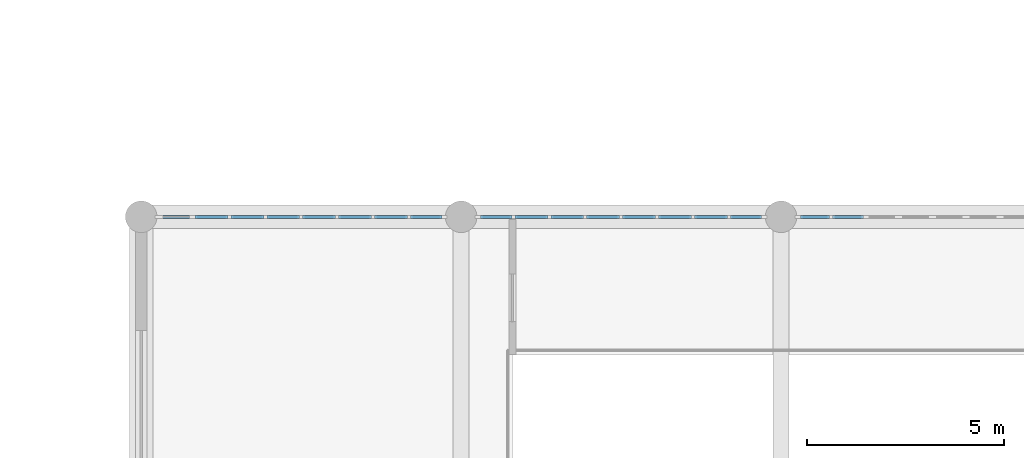
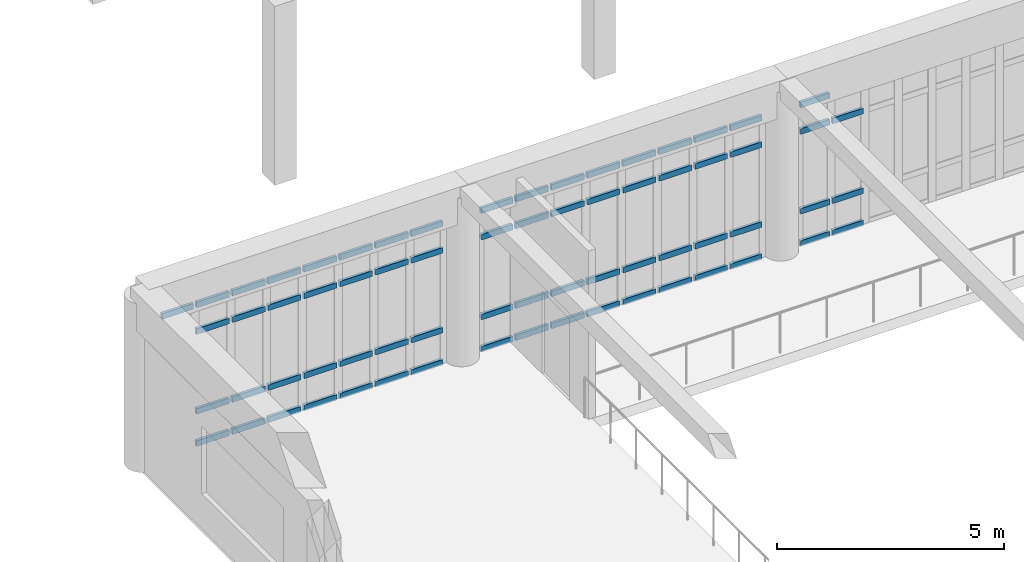
# One storey, part 20 of 61: 68 members, 3 elements without a shape of their own.
"""IFC4 building model written with IfcOpenShell, lengths in metres."""

from ifc_helpers import new_model, si_unit, direction, frame, origin, origin_2d, place, context, subcontext, project, spatial, rectangle, extrude, material, material_profile, profile_set, type_object, element, aggregate, save


model = new_model("IFC4")

# Units and contexts
model_context = context("Model", 3, precision=1e-05, world=origin(), true_north=direction((0.0, 1.0)))
body_context = subcontext(model_context, "Body", "Model", "MODEL_VIEW")
ifc_project = project(units=[si_unit("LENGTHUNIT", "METRE"), si_unit("AREAUNIT", "SQUARE_METRE"), si_unit("VOLUMEUNIT", "CUBIC_METRE"), si_unit("PLANEANGLEUNIT", "RADIAN"), si_unit("MASSUNIT", "GRAM", prefix="KILO")], contexts=[model_context])

# Site, building, storey
site_placement = place(None, origin())
site = spatial("IfcSite", under=ifc_project, at=site_placement, CompositionType="ELEMENT")
building_placement = place(site_placement, origin())
building = spatial("IfcBuilding", under=site, at=building_placement, Name="Tarnveldt Square Police Headquarters", CompositionType="ELEMENT")
storey_placement = place(building_placement, frame((0.0, 0.0, 5.39990234375)))
storey = spatial("IfcBuildingStorey", under=building, at=storey_placement, Name="L01", CompositionType="ELEMENT", Elevation=5.39990234375)

# Curtain wall, members
ifc_material_1 = material(Name="Triple-glazed low-e laminated vision glass", Category="glass")
curtain_wall_type_1 = type_object("IfcCurtainWallType", Name="CW-CT-727x379", PredefinedType="USERDEFINED", material=ifc_material_1)
curtain_wall_1_placement = place(storey_placement, origin())
curtain_wall_1 = element("IfcCurtainWall", 1, at=curtain_wall_1_placement, inside=storey, type_object=curtain_wall_type_1, Name="L01 Curtain Wall CW-L01-018", ObjectType="GLAZED CURTAIN WALL", PredefinedType="USERDEFINED")
ifc_material_2 = material(Name="Thermally broken anodised aluminium 6063-T6", Category="aluminium")
ifc_material_profile = material_profile(ifc_material_2, rectangle(XDim=0.074951171875, YDim=0.14990234375, at=origin_2d()), Name="CW-T75x150")
ifc_profile_set = profile_set([ifc_material_profile], Name="Thermally broken anodised aluminium 6063-T6")
member_type = type_object("IfcMemberType", Name="CWT-75x150", PredefinedType="USERDEFINED", material=ifc_profile_set)
member_1_placement = place(storey_placement, frame((65.2900390625, 48.0, 3.754638671875), z_axis=(1.0, 0.0, 0.0), x_axis=(0.0, 1.0, 0.0)))
member_1 = element("IfcMember", 2, at=member_1_placement, type_object=member_type, Name="CW-CT09 transom 1.4", ObjectType="TRANSOM", PredefinedType="USERDEFINED", context=body_context, shape_type="SweptSolid", body=[
    extrude(rectangle(XDim=0.074951171875, YDim=0.14990234375, at=origin_2d()), origin(), (0.0, 0.0, 1.0), 0.796142578125),
])
member_2_placement = place(storey_placement, frame((66.1611328125, 48.0, 0.03759765625), z_axis=(1.0, 0.0, 0.0), x_axis=(0.0, 1.0, 0.0)))
member_2 = element("IfcMember", 3, at=member_2_placement, type_object=member_type, Name="CW-CT09 transom 2.1", ObjectType="TRANSOM", PredefinedType="USERDEFINED", context=body_context, shape_type="SweptSolid", body=[
    extrude(rectangle(XDim=0.074951171875, YDim=0.14990234375, at=origin_2d()), origin(), (0.0, 0.0, 1.0), 0.833984375),
])
member_3_placement = place(storey_placement, frame((66.1611328125, 48.0, 0.900146484375), z_axis=(1.0, 0.0, 0.0), x_axis=(0.0, 1.0, 0.0)))
member_3 = element("IfcMember", 4, at=member_3_placement, type_object=member_type, Name="CW-CT09 transom 2.2", ObjectType="TRANSOM", PredefinedType="USERDEFINED", context=body_context, shape_type="SweptSolid", body=[
    extrude(rectangle(XDim=0.074951171875, YDim=0.14990234375, at=origin_2d()), origin(), (0.0, 0.0, 1.0), 0.833984375),
])
member_4_placement = place(storey_placement, frame((66.1611328125, 48.0, 3.0419921875), z_axis=(1.0, 0.0, 0.0), x_axis=(0.0, 1.0, 0.0)))
member_4 = element("IfcMember", 5, at=member_4_placement, type_object=member_type, Name="CW-CT09 transom 2.3", ObjectType="TRANSOM", PredefinedType="USERDEFINED", context=body_context, shape_type="SweptSolid", body=[
    extrude(rectangle(XDim=0.074951171875, YDim=0.14990234375, at=origin_2d()), origin(), (0.0, 0.0, 1.0), 0.833984375),
])
member_5_placement = place(storey_placement, frame((66.1611328125, 48.0, 3.754638671875), z_axis=(1.0, 0.0, 0.0), x_axis=(0.0, 1.0, 0.0)))
member_5 = element("IfcMember", 6, at=member_5_placement, type_object=member_type, Name="CW-CT09 transom 2.4", ObjectType="TRANSOM", PredefinedType="USERDEFINED", context=body_context, shape_type="SweptSolid", body=[
    extrude(rectangle(XDim=0.074951171875, YDim=0.14990234375, at=origin_2d()), origin(), (0.0, 0.0, 1.0), 0.833984375),
])
member_6_placement = place(storey_placement, frame((67.070068359375, 48.0, 0.03759765625), z_axis=(1.0, 0.0, 0.0), x_axis=(0.0, 1.0, 0.0)))
member_6 = element("IfcMember", 7, at=member_6_placement, type_object=member_type, Name="CW-CT09 transom 3.1", ObjectType="TRANSOM", PredefinedType="USERDEFINED", context=body_context, shape_type="SweptSolid", body=[
    extrude(rectangle(XDim=0.074951171875, YDim=0.14990234375, at=origin_2d()), origin(), (0.0, 0.0, 1.0), 0.833740234375),
])
member_7_placement = place(storey_placement, frame((67.070068359375, 48.0, 0.900146484375), z_axis=(1.0, 0.0, 0.0), x_axis=(0.0, 1.0, 0.0)))
member_7 = element("IfcMember", 8, at=member_7_placement, type_object=member_type, Name="CW-CT09 transom 3.2", ObjectType="TRANSOM", PredefinedType="USERDEFINED", context=body_context, shape_type="SweptSolid", body=[
    extrude(rectangle(XDim=0.074951171875, YDim=0.14990234375, at=origin_2d()), origin(), (0.0, 0.0, 1.0), 0.833740234375),
])
member_8_placement = place(storey_placement, frame((67.070068359375, 48.0, 3.0419921875), z_axis=(1.0, 0.0, 0.0), x_axis=(0.0, 1.0, 0.0)))
member_8 = element("IfcMember", 9, at=member_8_placement, type_object=member_type, Name="CW-CT09 transom 3.3", ObjectType="TRANSOM", PredefinedType="USERDEFINED", context=body_context, shape_type="SweptSolid", body=[
    extrude(rectangle(XDim=0.074951171875, YDim=0.14990234375, at=origin_2d()), origin(), (0.0, 0.0, 1.0), 0.833740234375),
])
member_9_placement = place(storey_placement, frame((67.070068359375, 48.0, 3.754638671875), z_axis=(1.0, 0.0, 0.0), x_axis=(0.0, 1.0, 0.0)))
member_9 = element("IfcMember", 10, at=member_9_placement, type_object=member_type, Name="CW-CT09 transom 3.4", ObjectType="TRANSOM", PredefinedType="USERDEFINED", context=body_context, shape_type="SweptSolid", body=[
    extrude(rectangle(XDim=0.074951171875, YDim=0.14990234375, at=origin_2d()), origin(), (0.0, 0.0, 1.0), 0.833740234375),
])
member_10_placement = place(storey_placement, frame((67.978759765625, 48.0, 0.03759765625), z_axis=(1.0, 0.0, 0.0), x_axis=(0.0, 1.0, 0.0)))
member_10 = element("IfcMember", 11, at=member_10_placement, type_object=member_type, Name="CW-CT09 transom 4.1", ObjectType="TRANSOM", PredefinedType="USERDEFINED", context=body_context, shape_type="SweptSolid", body=[
    extrude(rectangle(XDim=0.074951171875, YDim=0.14990234375, at=origin_2d()), origin(), (0.0, 0.0, 1.0), 0.833740234375),
])
member_11_placement = place(storey_placement, frame((67.978759765625, 48.0, 0.900146484375), z_axis=(1.0, 0.0, 0.0), x_axis=(0.0, 1.0, 0.0)))
member_11 = element("IfcMember", 12, at=member_11_placement, type_object=member_type, Name="CW-CT09 transom 4.2", ObjectType="TRANSOM", PredefinedType="USERDEFINED", context=body_context, shape_type="SweptSolid", body=[
    extrude(rectangle(XDim=0.074951171875, YDim=0.14990234375, at=origin_2d()), origin(), (0.0, 0.0, 1.0), 0.833740234375),
])
member_12_placement = place(storey_placement, frame((67.978759765625, 48.0, 3.0419921875), z_axis=(1.0, 0.0, 0.0), x_axis=(0.0, 1.0, 0.0)))
member_12 = element("IfcMember", 13, at=member_12_placement, type_object=member_type, Name="CW-CT09 transom 4.3", ObjectType="TRANSOM", PredefinedType="USERDEFINED", context=body_context, shape_type="SweptSolid", body=[
    extrude(rectangle(XDim=0.074951171875, YDim=0.14990234375, at=origin_2d()), origin(), (0.0, 0.0, 1.0), 0.833740234375),
])
member_13_placement = place(storey_placement, frame((67.978759765625, 48.0, 3.754638671875), z_axis=(1.0, 0.0, 0.0), x_axis=(0.0, 1.0, 0.0)))
member_13 = element("IfcMember", 14, at=member_13_placement, type_object=member_type, Name="CW-CT09 transom 4.4", ObjectType="TRANSOM", PredefinedType="USERDEFINED", context=body_context, shape_type="SweptSolid", body=[
    extrude(rectangle(XDim=0.074951171875, YDim=0.14990234375, at=origin_2d()), origin(), (0.0, 0.0, 1.0), 0.833740234375),
])
member_14_placement = place(storey_placement, frame((68.887451171875, 48.0, 0.03759765625), z_axis=(1.0, 0.0, 0.0), x_axis=(0.0, 1.0, 0.0)))
member_14 = element("IfcMember", 15, at=member_14_placement, type_object=member_type, Name="CW-CT09 transom 5.1", ObjectType="TRANSOM", PredefinedType="USERDEFINED", context=body_context, shape_type="SweptSolid", body=[
    extrude(rectangle(XDim=0.074951171875, YDim=0.14990234375, at=origin_2d()), origin(), (0.0, 0.0, 1.0), 0.833740234375),
])
member_15_placement = place(storey_placement, frame((68.887451171875, 48.0, 0.900146484375), z_axis=(1.0, 0.0, 0.0), x_axis=(0.0, 1.0, 0.0)))
member_15 = element("IfcMember", 16, at=member_15_placement, type_object=member_type, Name="CW-CT09 transom 5.2", ObjectType="TRANSOM", PredefinedType="USERDEFINED", context=body_context, shape_type="SweptSolid", body=[
    extrude(rectangle(XDim=0.074951171875, YDim=0.14990234375, at=origin_2d()), origin(), (0.0, 0.0, 1.0), 0.833740234375),
])
member_16_placement = place(storey_placement, frame((68.887451171875, 48.0, 3.0419921875), z_axis=(1.0, 0.0, 0.0), x_axis=(0.0, 1.0, 0.0)))
member_16 = element("IfcMember", 17, at=member_16_placement, type_object=member_type, Name="CW-CT09 transom 5.3", ObjectType="TRANSOM", PredefinedType="USERDEFINED", context=body_context, shape_type="SweptSolid", body=[
    extrude(rectangle(XDim=0.074951171875, YDim=0.14990234375, at=origin_2d()), origin(), (0.0, 0.0, 1.0), 0.833740234375),
])
member_17_placement = place(storey_placement, frame((68.887451171875, 48.0, 3.754638671875), z_axis=(1.0, 0.0, 0.0), x_axis=(0.0, 1.0, 0.0)))
member_17 = element("IfcMember", 18, at=member_17_placement, type_object=member_type, Name="CW-CT09 transom 5.4", ObjectType="TRANSOM", PredefinedType="USERDEFINED", context=body_context, shape_type="SweptSolid", body=[
    extrude(rectangle(XDim=0.074951171875, YDim=0.14990234375, at=origin_2d()), origin(), (0.0, 0.0, 1.0), 0.833740234375),
])
member_18_placement = place(storey_placement, frame((69.796142578125, 48.0, 0.03759765625), z_axis=(1.0, 0.0, 0.0), x_axis=(0.0, 1.0, 0.0)))
member_18 = element("IfcMember", 19, at=member_18_placement, type_object=member_type, Name="CW-CT09 transom 6.1", ObjectType="TRANSOM", PredefinedType="USERDEFINED", context=body_context, shape_type="SweptSolid", body=[
    extrude(rectangle(XDim=0.074951171875, YDim=0.14990234375, at=origin_2d()), origin(), (0.0, 0.0, 1.0), 0.833740234375),
])
member_19_placement = place(storey_placement, frame((69.796142578125, 48.0, 0.900146484375), z_axis=(1.0, 0.0, 0.0), x_axis=(0.0, 1.0, 0.0)))
member_19 = element("IfcMember", 20, at=member_19_placement, type_object=member_type, Name="CW-CT09 transom 6.2", ObjectType="TRANSOM", PredefinedType="USERDEFINED", context=body_context, shape_type="SweptSolid", body=[
    extrude(rectangle(XDim=0.074951171875, YDim=0.14990234375, at=origin_2d()), origin(), (0.0, 0.0, 1.0), 0.833740234375),
])
member_20_placement = place(storey_placement, frame((69.796142578125, 48.0, 3.0419921875), z_axis=(1.0, 0.0, 0.0), x_axis=(0.0, 1.0, 0.0)))
member_20 = element("IfcMember", 21, at=member_20_placement, type_object=member_type, Name="CW-CT09 transom 6.3", ObjectType="TRANSOM", PredefinedType="USERDEFINED", context=body_context, shape_type="SweptSolid", body=[
    extrude(rectangle(XDim=0.074951171875, YDim=0.14990234375, at=origin_2d()), origin(), (0.0, 0.0, 1.0), 0.833740234375),
])
member_21_placement = place(storey_placement, frame((69.796142578125, 48.0, 3.754638671875), z_axis=(1.0, 0.0, 0.0), x_axis=(0.0, 1.0, 0.0)))
member_21 = element("IfcMember", 22, at=member_21_placement, type_object=member_type, Name="CW-CT09 transom 6.4", ObjectType="TRANSOM", PredefinedType="USERDEFINED", context=body_context, shape_type="SweptSolid", body=[
    extrude(rectangle(XDim=0.074951171875, YDim=0.14990234375, at=origin_2d()), origin(), (0.0, 0.0, 1.0), 0.833740234375),
])
member_22_placement = place(storey_placement, frame((70.705078125, 48.0, 0.03759765625), z_axis=(1.0, 0.0, 0.0), x_axis=(0.0, 1.0, 0.0)))
member_22 = element("IfcMember", 23, at=member_22_placement, type_object=member_type, Name="CW-CT09 transom 7.1", ObjectType="TRANSOM", PredefinedType="USERDEFINED", context=body_context, shape_type="SweptSolid", body=[
    extrude(rectangle(XDim=0.074951171875, YDim=0.14990234375, at=origin_2d()), origin(), (0.0, 0.0, 1.0), 0.833740234375),
])
member_23_placement = place(storey_placement, frame((70.705078125, 48.0, 0.900146484375), z_axis=(1.0, 0.0, 0.0), x_axis=(0.0, 1.0, 0.0)))
member_23 = element("IfcMember", 24, at=member_23_placement, type_object=member_type, Name="CW-CT09 transom 7.2", ObjectType="TRANSOM", PredefinedType="USERDEFINED", context=body_context, shape_type="SweptSolid", body=[
    extrude(rectangle(XDim=0.074951171875, YDim=0.14990234375, at=origin_2d()), origin(), (0.0, 0.0, 1.0), 0.833740234375),
])
member_24_placement = place(storey_placement, frame((70.705078125, 48.0, 3.0419921875), z_axis=(1.0, 0.0, 0.0), x_axis=(0.0, 1.0, 0.0)))
member_24 = element("IfcMember", 25, at=member_24_placement, type_object=member_type, Name="CW-CT09 transom 7.3", ObjectType="TRANSOM", PredefinedType="USERDEFINED", context=body_context, shape_type="SweptSolid", body=[
    extrude(rectangle(XDim=0.074951171875, YDim=0.14990234375, at=origin_2d()), origin(), (0.0, 0.0, 1.0), 0.833740234375),
])
member_25_placement = place(storey_placement, frame((70.705078125, 48.0, 3.754638671875), z_axis=(1.0, 0.0, 0.0), x_axis=(0.0, 1.0, 0.0)))
member_25 = element("IfcMember", 26, at=member_25_placement, type_object=member_type, Name="CW-CT09 transom 7.4", ObjectType="TRANSOM", PredefinedType="USERDEFINED", context=body_context, shape_type="SweptSolid", body=[
    extrude(rectangle(XDim=0.074951171875, YDim=0.14990234375, at=origin_2d()), origin(), (0.0, 0.0, 1.0), 0.833740234375),
])
member_26_placement = place(storey_placement, frame((71.61376953125, 48.0, 0.03759765625), z_axis=(1.0, 0.0, 0.0), x_axis=(0.0, 1.0, 0.0)))
member_26 = element("IfcMember", 27, at=member_26_placement, type_object=member_type, Name="CW-CT09 transom 8.1", ObjectType="TRANSOM", PredefinedType="USERDEFINED", context=body_context, shape_type="SweptSolid", body=[
    extrude(rectangle(XDim=0.074951171875, YDim=0.14990234375, at=origin_2d()), origin(), (0.0, 0.0, 1.0), 0.796142578125),
])
member_27_placement = place(storey_placement, frame((71.61376953125, 48.0, 0.900146484375), z_axis=(1.0, 0.0, 0.0), x_axis=(0.0, 1.0, 0.0)))
member_27 = element("IfcMember", 28, at=member_27_placement, type_object=member_type, Name="CW-CT09 transom 8.2", ObjectType="TRANSOM", PredefinedType="USERDEFINED", context=body_context, shape_type="SweptSolid", body=[
    extrude(rectangle(XDim=0.074951171875, YDim=0.14990234375, at=origin_2d()), origin(), (0.0, 0.0, 1.0), 0.796142578125),
])
member_28_placement = place(storey_placement, frame((71.61376953125, 48.0, 3.0419921875), z_axis=(1.0, 0.0, 0.0), x_axis=(0.0, 1.0, 0.0)))
member_28 = element("IfcMember", 29, at=member_28_placement, type_object=member_type, Name="CW-CT09 transom 8.3", ObjectType="TRANSOM", PredefinedType="USERDEFINED", context=body_context, shape_type="SweptSolid", body=[
    extrude(rectangle(XDim=0.074951171875, YDim=0.14990234375, at=origin_2d()), origin(), (0.0, 0.0, 1.0), 0.796142578125),
])
member_29_placement = place(storey_placement, frame((71.61376953125, 48.0, 3.754638671875), z_axis=(1.0, 0.0, 0.0), x_axis=(0.0, 1.0, 0.0)))
member_29 = element("IfcMember", 30, at=member_29_placement, type_object=member_type, Name="CW-CT09 transom 8.4", ObjectType="TRANSOM", PredefinedType="USERDEFINED", context=body_context, shape_type="SweptSolid", body=[
    extrude(rectangle(XDim=0.074951171875, YDim=0.14990234375, at=origin_2d()), origin(), (0.0, 0.0, 1.0), 0.796142578125),
])
aggregate(curtain_wall_1, [member_1, member_2, member_3, member_4, member_5, member_6, member_7, member_8, member_9, member_10, member_11, member_12, member_13, member_14, member_15, member_16, member_17, member_18, member_19, member_20, member_21, member_22, member_23, member_24, member_25, member_26, member_27, member_28, member_29])

curtain_wall_2_placement = place(storey_placement, origin())
curtain_wall_2 = element("IfcCurtainWall", 31, at=curtain_wall_2_placement, inside=storey, type_object=curtain_wall_type_1, Name="L01 Curtain Wall CW-L01-019", ObjectType="GLAZED CURTAIN WALL", PredefinedType="USERDEFINED")
member_30_placement = place(storey_placement, frame((73.389892578125, 48.0, 0.03759765625), z_axis=(1.0, 0.0, 0.0), x_axis=(0.0, 1.0, 0.0)))
member_30 = element("IfcMember", 32, at=member_30_placement, type_object=member_type, Name="CW-CT09 transom 1.1", ObjectType="TRANSOM", PredefinedType="USERDEFINED", context=body_context, shape_type="SweptSolid", body=[
    extrude(rectangle(XDim=0.074951171875, YDim=0.14990234375, at=origin_2d()), origin(), (0.0, 0.0, 1.0), 0.79638671875),
])
member_31_placement = place(storey_placement, frame((73.389892578125, 48.0, 0.900146484375), z_axis=(1.0, 0.0, 0.0), x_axis=(0.0, 1.0, 0.0)))
member_31 = element("IfcMember", 33, at=member_31_placement, type_object=member_type, Name="CW-CT09 transom 1.2", ObjectType="TRANSOM", PredefinedType="USERDEFINED", context=body_context, shape_type="SweptSolid", body=[
    extrude(rectangle(XDim=0.074951171875, YDim=0.14990234375, at=origin_2d()), origin(), (0.0, 0.0, 1.0), 0.79638671875),
])
member_32_placement = place(storey_placement, frame((73.389892578125, 48.0, 3.0419921875), z_axis=(1.0, 0.0, 0.0), x_axis=(0.0, 1.0, 0.0)))
member_32 = element("IfcMember", 34, at=member_32_placement, type_object=member_type, Name="CW-CT09 transom 1.3", ObjectType="TRANSOM", PredefinedType="USERDEFINED", context=body_context, shape_type="SweptSolid", body=[
    extrude(rectangle(XDim=0.074951171875, YDim=0.14990234375, at=origin_2d()), origin(), (0.0, 0.0, 1.0), 0.79638671875),
])
member_33_placement = place(storey_placement, frame((73.389892578125, 48.0, 3.754638671875), z_axis=(1.0, 0.0, 0.0), x_axis=(0.0, 1.0, 0.0)))
member_33 = element("IfcMember", 35, at=member_33_placement, type_object=member_type, Name="CW-CT09 transom 1.4", ObjectType="TRANSOM", PredefinedType="USERDEFINED", context=body_context, shape_type="SweptSolid", body=[
    extrude(rectangle(XDim=0.074951171875, YDim=0.14990234375, at=origin_2d()), origin(), (0.0, 0.0, 1.0), 0.79638671875),
])
member_34_placement = place(storey_placement, frame((74.26123046875, 48.0, 0.03759765625), z_axis=(1.0, 0.0, 0.0), x_axis=(0.0, 1.0, 0.0)))
member_34 = element("IfcMember", 36, at=member_34_placement, type_object=member_type, Name="CW-CT09 transom 2.1", ObjectType="TRANSOM", PredefinedType="USERDEFINED", context=body_context, shape_type="SweptSolid", body=[
    extrude(rectangle(XDim=0.074951171875, YDim=0.14990234375, at=origin_2d()), origin(), (0.0, 0.0, 1.0), 0.833740234375),
])
member_35_placement = place(storey_placement, frame((74.26123046875, 48.0, 0.900146484375), z_axis=(1.0, 0.0, 0.0), x_axis=(0.0, 1.0, 0.0)))
member_35 = element("IfcMember", 37, at=member_35_placement, type_object=member_type, Name="CW-CT09 transom 2.2", ObjectType="TRANSOM", PredefinedType="USERDEFINED", context=body_context, shape_type="SweptSolid", body=[
    extrude(rectangle(XDim=0.074951171875, YDim=0.14990234375, at=origin_2d()), origin(), (0.0, 0.0, 1.0), 0.833740234375),
])
member_36_placement = place(storey_placement, frame((74.26123046875, 48.0, 3.0419921875), z_axis=(1.0, 0.0, 0.0), x_axis=(0.0, 1.0, 0.0)))
member_36 = element("IfcMember", 38, at=member_36_placement, type_object=member_type, Name="CW-CT09 transom 2.3", ObjectType="TRANSOM", PredefinedType="USERDEFINED", context=body_context, shape_type="SweptSolid", body=[
    extrude(rectangle(XDim=0.074951171875, YDim=0.14990234375, at=origin_2d()), origin(), (0.0, 0.0, 1.0), 0.833740234375),
])
member_37_placement = place(storey_placement, frame((74.26123046875, 48.0, 3.754638671875), z_axis=(1.0, 0.0, 0.0), x_axis=(0.0, 1.0, 0.0)))
member_37 = element("IfcMember", 39, at=member_37_placement, type_object=member_type, Name="CW-CT09 transom 2.4", ObjectType="TRANSOM", PredefinedType="USERDEFINED", context=body_context, shape_type="SweptSolid", body=[
    extrude(rectangle(XDim=0.074951171875, YDim=0.14990234375, at=origin_2d()), origin(), (0.0, 0.0, 1.0), 0.833740234375),
])
member_38_placement = place(storey_placement, frame((75.169921875, 48.0, 0.03759765625), z_axis=(1.0, 0.0, 0.0), x_axis=(0.0, 1.0, 0.0)))
member_38 = element("IfcMember", 40, at=member_38_placement, type_object=member_type, Name="CW-CT09 transom 3.1", ObjectType="TRANSOM", PredefinedType="USERDEFINED", context=body_context, shape_type="SweptSolid", body=[
    extrude(rectangle(XDim=0.074951171875, YDim=0.14990234375, at=origin_2d()), origin(), (0.0, 0.0, 1.0), 0.833740234375),
])
member_39_placement = place(storey_placement, frame((75.169921875, 48.0, 0.900146484375), z_axis=(1.0, 0.0, 0.0), x_axis=(0.0, 1.0, 0.0)))
member_39 = element("IfcMember", 41, at=member_39_placement, type_object=member_type, Name="CW-CT09 transom 3.2", ObjectType="TRANSOM", PredefinedType="USERDEFINED", context=body_context, shape_type="SweptSolid", body=[
    extrude(rectangle(XDim=0.074951171875, YDim=0.14990234375, at=origin_2d()), origin(), (0.0, 0.0, 1.0), 0.833740234375),
])
member_40_placement = place(storey_placement, frame((75.169921875, 48.0, 3.0419921875), z_axis=(1.0, 0.0, 0.0), x_axis=(0.0, 1.0, 0.0)))
member_40 = element("IfcMember", 42, at=member_40_placement, type_object=member_type, Name="CW-CT09 transom 3.3", ObjectType="TRANSOM", PredefinedType="USERDEFINED", context=body_context, shape_type="SweptSolid", body=[
    extrude(rectangle(XDim=0.074951171875, YDim=0.14990234375, at=origin_2d()), origin(), (0.0, 0.0, 1.0), 0.833740234375),
])
member_41_placement = place(storey_placement, frame((75.169921875, 48.0, 3.754638671875), z_axis=(1.0, 0.0, 0.0), x_axis=(0.0, 1.0, 0.0)))
member_41 = element("IfcMember", 43, at=member_41_placement, type_object=member_type, Name="CW-CT09 transom 3.4", ObjectType="TRANSOM", PredefinedType="USERDEFINED", context=body_context, shape_type="SweptSolid", body=[
    extrude(rectangle(XDim=0.074951171875, YDim=0.14990234375, at=origin_2d()), origin(), (0.0, 0.0, 1.0), 0.833740234375),
])
member_42_placement = place(storey_placement, frame((76.078857421875, 48.0, 0.03759765625), z_axis=(1.0, 0.0, 0.0), x_axis=(0.0, 1.0, 0.0)))
member_42 = element("IfcMember", 44, at=member_42_placement, type_object=member_type, Name="CW-CT09 transom 4.1", ObjectType="TRANSOM", PredefinedType="USERDEFINED", context=body_context, shape_type="SweptSolid", body=[
    extrude(rectangle(XDim=0.074951171875, YDim=0.14990234375, at=origin_2d()), origin(), (0.0, 0.0, 1.0), 0.833740234375),
])
member_43_placement = place(storey_placement, frame((76.078857421875, 48.0, 0.900146484375), z_axis=(1.0, 0.0, 0.0), x_axis=(0.0, 1.0, 0.0)))
member_43 = element("IfcMember", 45, at=member_43_placement, type_object=member_type, Name="CW-CT09 transom 4.2", ObjectType="TRANSOM", PredefinedType="USERDEFINED", context=body_context, shape_type="SweptSolid", body=[
    extrude(rectangle(XDim=0.074951171875, YDim=0.14990234375, at=origin_2d()), origin(), (0.0, 0.0, 1.0), 0.833740234375),
])
member_44_placement = place(storey_placement, frame((76.078857421875, 48.0, 3.0419921875), z_axis=(1.0, 0.0, 0.0), x_axis=(0.0, 1.0, 0.0)))
member_44 = element("IfcMember", 46, at=member_44_placement, type_object=member_type, Name="CW-CT09 transom 4.3", ObjectType="TRANSOM", PredefinedType="USERDEFINED", context=body_context, shape_type="SweptSolid", body=[
    extrude(rectangle(XDim=0.074951171875, YDim=0.14990234375, at=origin_2d()), origin(), (0.0, 0.0, 1.0), 0.833740234375),
])
member_45_placement = place(storey_placement, frame((76.078857421875, 48.0, 3.754638671875), z_axis=(1.0, 0.0, 0.0), x_axis=(0.0, 1.0, 0.0)))
member_45 = element("IfcMember", 47, at=member_45_placement, type_object=member_type, Name="CW-CT09 transom 4.4", ObjectType="TRANSOM", PredefinedType="USERDEFINED", context=body_context, shape_type="SweptSolid", body=[
    extrude(rectangle(XDim=0.074951171875, YDim=0.14990234375, at=origin_2d()), origin(), (0.0, 0.0, 1.0), 0.833740234375),
])
member_46_placement = place(storey_placement, frame((76.987548828125, 48.0, 0.03759765625), z_axis=(1.0, 0.0, 0.0), x_axis=(0.0, 1.0, 0.0)))
member_46 = element("IfcMember", 48, at=member_46_placement, type_object=member_type, Name="CW-CT09 transom 5.1", ObjectType="TRANSOM", PredefinedType="USERDEFINED", context=body_context, shape_type="SweptSolid", body=[
    extrude(rectangle(XDim=0.074951171875, YDim=0.14990234375, at=origin_2d()), origin(), (0.0, 0.0, 1.0), 0.833740234375),
])
member_47_placement = place(storey_placement, frame((76.987548828125, 48.0, 0.900146484375), z_axis=(1.0, 0.0, 0.0), x_axis=(0.0, 1.0, 0.0)))
member_47 = element("IfcMember", 49, at=member_47_placement, type_object=member_type, Name="CW-CT09 transom 5.2", ObjectType="TRANSOM", PredefinedType="USERDEFINED", context=body_context, shape_type="SweptSolid", body=[
    extrude(rectangle(XDim=0.074951171875, YDim=0.14990234375, at=origin_2d()), origin(), (0.0, 0.0, 1.0), 0.833740234375),
])
member_48_placement = place(storey_placement, frame((76.987548828125, 48.0, 3.0419921875), z_axis=(1.0, 0.0, 0.0), x_axis=(0.0, 1.0, 0.0)))
member_48 = element("IfcMember", 50, at=member_48_placement, type_object=member_type, Name="CW-CT09 transom 5.3", ObjectType="TRANSOM", PredefinedType="USERDEFINED", context=body_context, shape_type="SweptSolid", body=[
    extrude(rectangle(XDim=0.074951171875, YDim=0.14990234375, at=origin_2d()), origin(), (0.0, 0.0, 1.0), 0.833740234375),
])
member_49_placement = place(storey_placement, frame((76.987548828125, 48.0, 3.754638671875), z_axis=(1.0, 0.0, 0.0), x_axis=(0.0, 1.0, 0.0)))
member_49 = element("IfcMember", 51, at=member_49_placement, type_object=member_type, Name="CW-CT09 transom 5.4", ObjectType="TRANSOM", PredefinedType="USERDEFINED", context=body_context, shape_type="SweptSolid", body=[
    extrude(rectangle(XDim=0.074951171875, YDim=0.14990234375, at=origin_2d()), origin(), (0.0, 0.0, 1.0), 0.833740234375),
])
member_50_placement = place(storey_placement, frame((77.896240234375, 48.0, 0.03759765625), z_axis=(1.0, 0.0, 0.0), x_axis=(0.0, 1.0, 0.0)))
member_50 = element("IfcMember", 52, at=member_50_placement, type_object=member_type, Name="CW-CT09 transom 6.1", ObjectType="TRANSOM", PredefinedType="USERDEFINED", context=body_context, shape_type="SweptSolid", body=[
    extrude(rectangle(XDim=0.074951171875, YDim=0.14990234375, at=origin_2d()), origin(), (0.0, 0.0, 1.0), 0.833740234375),
])
member_51_placement = place(storey_placement, frame((77.896240234375, 48.0, 0.900146484375), z_axis=(1.0, 0.0, 0.0), x_axis=(0.0, 1.0, 0.0)))
member_51 = element("IfcMember", 53, at=member_51_placement, type_object=member_type, Name="CW-CT09 transom 6.2", ObjectType="TRANSOM", PredefinedType="USERDEFINED", context=body_context, shape_type="SweptSolid", body=[
    extrude(rectangle(XDim=0.074951171875, YDim=0.14990234375, at=origin_2d()), origin(), (0.0, 0.0, 1.0), 0.833740234375),
])
member_52_placement = place(storey_placement, frame((77.896240234375, 48.0, 3.0419921875), z_axis=(1.0, 0.0, 0.0), x_axis=(0.0, 1.0, 0.0)))
member_52 = element("IfcMember", 54, at=member_52_placement, type_object=member_type, Name="CW-CT09 transom 6.3", ObjectType="TRANSOM", PredefinedType="USERDEFINED", context=body_context, shape_type="SweptSolid", body=[
    extrude(rectangle(XDim=0.074951171875, YDim=0.14990234375, at=origin_2d()), origin(), (0.0, 0.0, 1.0), 0.833740234375),
])
member_53_placement = place(storey_placement, frame((77.896240234375, 48.0, 3.754638671875), z_axis=(1.0, 0.0, 0.0), x_axis=(0.0, 1.0, 0.0)))
member_53 = element("IfcMember", 55, at=member_53_placement, type_object=member_type, Name="CW-CT09 transom 6.4", ObjectType="TRANSOM", PredefinedType="USERDEFINED", context=body_context, shape_type="SweptSolid", body=[
    extrude(rectangle(XDim=0.074951171875, YDim=0.14990234375, at=origin_2d()), origin(), (0.0, 0.0, 1.0), 0.833740234375),
])
member_54_placement = place(storey_placement, frame((78.804931640625, 48.0, 0.03759765625), z_axis=(1.0, 0.0, 0.0), x_axis=(0.0, 1.0, 0.0)))
member_54 = element("IfcMember", 56, at=member_54_placement, type_object=member_type, Name="CW-CT09 transom 7.1", ObjectType="TRANSOM", PredefinedType="USERDEFINED", context=body_context, shape_type="SweptSolid", body=[
    extrude(rectangle(XDim=0.074951171875, YDim=0.14990234375, at=origin_2d()), origin(), (0.0, 0.0, 1.0), 0.833740234375),
])
member_55_placement = place(storey_placement, frame((78.804931640625, 48.0, 0.900146484375), z_axis=(1.0, 0.0, 0.0), x_axis=(0.0, 1.0, 0.0)))
member_55 = element("IfcMember", 57, at=member_55_placement, type_object=member_type, Name="CW-CT09 transom 7.2", ObjectType="TRANSOM", PredefinedType="USERDEFINED", context=body_context, shape_type="SweptSolid", body=[
    extrude(rectangle(XDim=0.074951171875, YDim=0.14990234375, at=origin_2d()), origin(), (0.0, 0.0, 1.0), 0.833740234375),
])
member_56_placement = place(storey_placement, frame((78.804931640625, 48.0, 3.0419921875), z_axis=(1.0, 0.0, 0.0), x_axis=(0.0, 1.0, 0.0)))
member_56 = element("IfcMember", 58, at=member_56_placement, type_object=member_type, Name="CW-CT09 transom 7.3", ObjectType="TRANSOM", PredefinedType="USERDEFINED", context=body_context, shape_type="SweptSolid", body=[
    extrude(rectangle(XDim=0.074951171875, YDim=0.14990234375, at=origin_2d()), origin(), (0.0, 0.0, 1.0), 0.833740234375),
])
member_57_placement = place(storey_placement, frame((78.804931640625, 48.0, 3.754638671875), z_axis=(1.0, 0.0, 0.0), x_axis=(0.0, 1.0, 0.0)))
member_57 = element("IfcMember", 59, at=member_57_placement, type_object=member_type, Name="CW-CT09 transom 7.4", ObjectType="TRANSOM", PredefinedType="USERDEFINED", context=body_context, shape_type="SweptSolid", body=[
    extrude(rectangle(XDim=0.074951171875, YDim=0.14990234375, at=origin_2d()), origin(), (0.0, 0.0, 1.0), 0.833740234375),
])
member_58_placement = place(storey_placement, frame((79.7138671875, 48.0, 0.03759765625), z_axis=(1.0, 0.0, 0.0), x_axis=(0.0, 1.0, 0.0)))
member_58 = element("IfcMember", 60, at=member_58_placement, type_object=member_type, Name="CW-CT09 transom 8.1", ObjectType="TRANSOM", PredefinedType="USERDEFINED", context=body_context, shape_type="SweptSolid", body=[
    extrude(rectangle(XDim=0.074951171875, YDim=0.14990234375, at=origin_2d()), origin(), (0.0, 0.0, 1.0), 0.796142578125),
])
member_59_placement = place(storey_placement, frame((79.7138671875, 48.0, 0.900146484375), z_axis=(1.0, 0.0, 0.0), x_axis=(0.0, 1.0, 0.0)))
member_59 = element("IfcMember", 61, at=member_59_placement, type_object=member_type, Name="CW-CT09 transom 8.2", ObjectType="TRANSOM", PredefinedType="USERDEFINED", context=body_context, shape_type="SweptSolid", body=[
    extrude(rectangle(XDim=0.074951171875, YDim=0.14990234375, at=origin_2d()), origin(), (0.0, 0.0, 1.0), 0.796142578125),
])
member_60_placement = place(storey_placement, frame((79.7138671875, 48.0, 3.0419921875), z_axis=(1.0, 0.0, 0.0), x_axis=(0.0, 1.0, 0.0)))
member_60 = element("IfcMember", 62, at=member_60_placement, type_object=member_type, Name="CW-CT09 transom 8.3", ObjectType="TRANSOM", PredefinedType="USERDEFINED", context=body_context, shape_type="SweptSolid", body=[
    extrude(rectangle(XDim=0.074951171875, YDim=0.14990234375, at=origin_2d()), origin(), (0.0, 0.0, 1.0), 0.796142578125),
])
member_61_placement = place(storey_placement, frame((79.7138671875, 48.0, 3.754638671875), z_axis=(1.0, 0.0, 0.0), x_axis=(0.0, 1.0, 0.0)))
member_61 = element("IfcMember", 63, at=member_61_placement, type_object=member_type, Name="CW-CT09 transom 8.4", ObjectType="TRANSOM", PredefinedType="USERDEFINED", context=body_context, shape_type="SweptSolid", body=[
    extrude(rectangle(XDim=0.074951171875, YDim=0.14990234375, at=origin_2d()), origin(), (0.0, 0.0, 1.0), 0.796142578125),
])
aggregate(curtain_wall_2, [member_30, member_31, member_32, member_33, member_34, member_35, member_36, member_37, member_38, member_39, member_40, member_41, member_42, member_43, member_44, member_45, member_46, member_47, member_48, member_49, member_50, member_51, member_52, member_53, member_54, member_55, member_56, member_57, member_58, member_59, member_60, member_61])

curtain_wall_type_2 = type_object("IfcCurtainWallType", Name="CW-CT-768x379", PredefinedType="USERDEFINED", material=ifc_material_1)
curtain_wall_3_placement = place(storey_placement, origin())
curtain_wall_3 = element("IfcCurtainWall", 64, at=curtain_wall_3_placement, inside=storey, type_object=curtain_wall_type_2, Name="L01 Curtain Wall CW-L01-020", ObjectType="GLAZED CURTAIN WALL", PredefinedType="USERDEFINED")
member_62_placement = place(storey_placement, frame((81.489990234375, 48.0, 0.03759765625), z_axis=(1.0, 0.0, 0.0), x_axis=(0.0, 1.0, 0.0)))
member_62 = element("IfcMember", 65, at=member_62_placement, type_object=member_type, Name="CW-CT10 transom 1.1", ObjectType="TRANSOM", PredefinedType="USERDEFINED", context=body_context, shape_type="SweptSolid", body=[
    extrude(rectangle(XDim=0.074951171875, YDim=0.14990234375, at=origin_2d()), origin(), (0.0, 0.0, 1.0), 0.741455078125),
])
member_63_placement = place(storey_placement, frame((81.489990234375, 48.0, 0.900146484375), z_axis=(1.0, 0.0, 0.0), x_axis=(0.0, 1.0, 0.0)))
member_63 = element("IfcMember", 66, at=member_63_placement, type_object=member_type, Name="CW-CT10 transom 1.2", ObjectType="TRANSOM", PredefinedType="USERDEFINED", context=body_context, shape_type="SweptSolid", body=[
    extrude(rectangle(XDim=0.074951171875, YDim=0.14990234375, at=origin_2d()), origin(), (0.0, 0.0, 1.0), 0.741455078125),
])
member_64_placement = place(storey_placement, frame((81.489990234375, 48.0, 3.0419921875), z_axis=(1.0, 0.0, 0.0), x_axis=(0.0, 1.0, 0.0)))
member_64 = element("IfcMember", 67, at=member_64_placement, type_object=member_type, Name="CW-CT10 transom 1.3", ObjectType="TRANSOM", PredefinedType="USERDEFINED", context=body_context, shape_type="SweptSolid", body=[
    extrude(rectangle(XDim=0.074951171875, YDim=0.14990234375, at=origin_2d()), origin(), (0.0, 0.0, 1.0), 0.741455078125),
])
member_65_placement = place(storey_placement, frame((81.489990234375, 48.0, 3.754638671875), z_axis=(1.0, 0.0, 0.0), x_axis=(0.0, 1.0, 0.0)))
member_65 = element("IfcMember", 68, at=member_65_placement, type_object=member_type, Name="CW-CT10 transom 1.4", ObjectType="TRANSOM", PredefinedType="USERDEFINED", context=body_context, shape_type="SweptSolid", body=[
    extrude(rectangle(XDim=0.074951171875, YDim=0.14990234375, at=origin_2d()), origin(), (0.0, 0.0, 1.0), 0.741455078125),
])
member_66_placement = place(storey_placement, frame((82.306396484375, 48.0, 0.03759765625), z_axis=(1.0, 0.0, 0.0), x_axis=(0.0, 1.0, 0.0)))
member_66 = element("IfcMember", 69, at=member_66_placement, type_object=member_type, Name="CW-CT10 transom 2.1", ObjectType="TRANSOM", PredefinedType="USERDEFINED", context=body_context, shape_type="SweptSolid", body=[
    extrude(rectangle(XDim=0.074951171875, YDim=0.14990234375, at=origin_2d()), origin(), (0.0, 0.0, 1.0), 0.77880859375),
])
member_67_placement = place(storey_placement, frame((82.306396484375, 48.0, 0.900146484375), z_axis=(1.0, 0.0, 0.0), x_axis=(0.0, 1.0, 0.0)))
member_67 = element("IfcMember", 70, at=member_67_placement, type_object=member_type, Name="CW-CT10 transom 2.2", ObjectType="TRANSOM", PredefinedType="USERDEFINED", context=body_context, shape_type="SweptSolid", body=[
    extrude(rectangle(XDim=0.074951171875, YDim=0.14990234375, at=origin_2d()), origin(), (0.0, 0.0, 1.0), 0.77880859375),
])
member_68_placement = place(storey_placement, frame((82.306396484375, 48.0, 3.0419921875), z_axis=(1.0, 0.0, 0.0), x_axis=(0.0, 1.0, 0.0)))
member_68 = element("IfcMember", 71, at=member_68_placement, type_object=member_type, Name="CW-CT10 transom 2.3", ObjectType="TRANSOM", PredefinedType="USERDEFINED", context=body_context, shape_type="SweptSolid", body=[
    extrude(rectangle(XDim=0.074951171875, YDim=0.14990234375, at=origin_2d()), origin(), (0.0, 0.0, 1.0), 0.77880859375),
])
aggregate(curtain_wall_3, [member_62, member_63, member_64, member_65, member_66, member_67, member_68])

save(model, "model.ifc")
